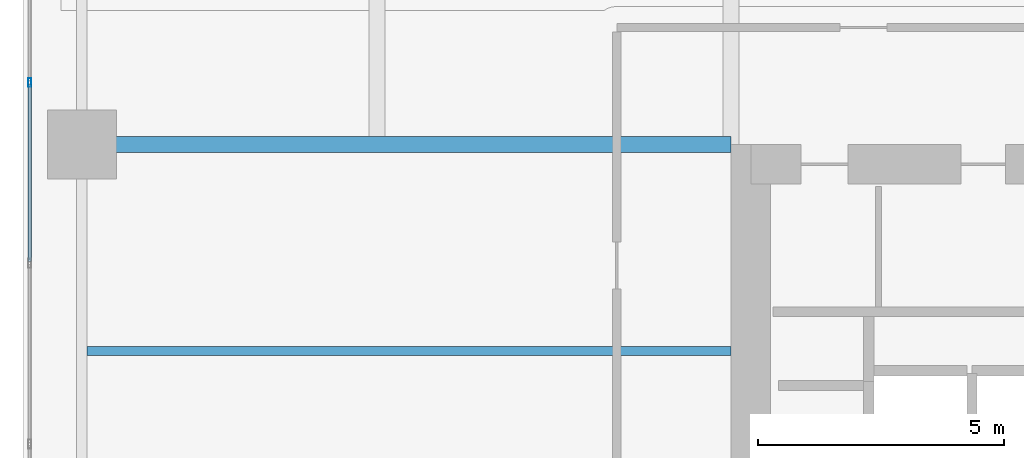
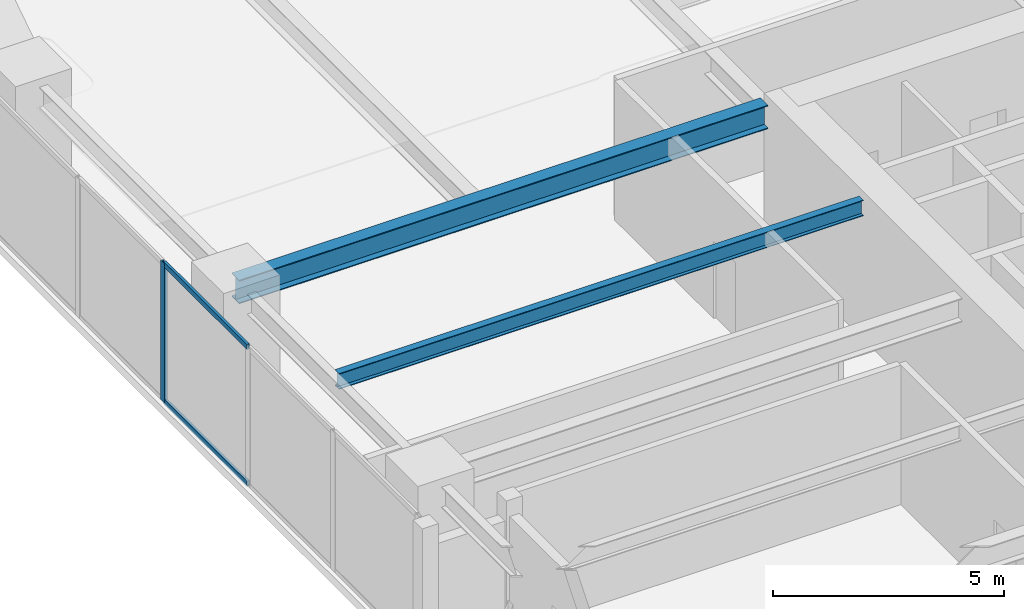
# One storey, part 6 of 30: 3 members, 2 beams, 1 element without a shape of its own.
"""IFC4 building model written with IfcOpenShell, lengths in metres."""

from ifc_helpers import new_model, si_unit, direction, frame, origin, origin_2d, place, context, subcontext, project, spatial, hollow_rectangle, i_section, extrude, material, layer, layer_set, material_profile, profile_set, type_object, element, aggregate, save


model = new_model("IFC4")

# Units and contexts
model_context = context("Model", 3, precision=1e-05, world=origin(), true_north=direction((0.0, 1.0)))
body_context = subcontext(model_context, "Body", "Model", "MODEL_VIEW")
ifc_project = project(units=[si_unit("LENGTHUNIT", "METRE"), si_unit("AREAUNIT", "SQUARE_METRE"), si_unit("VOLUMEUNIT", "CUBIC_METRE"), si_unit("PLANEANGLEUNIT", "RADIAN"), si_unit("MASSUNIT", "GRAM", prefix="KILO")], contexts=[model_context])

# Site, building, storey
site_placement = place(None, origin())
site = spatial("IfcSite", under=ifc_project, at=site_placement, CompositionType="ELEMENT")
building_placement = place(site_placement, origin())
building = spatial("IfcBuilding", under=site, at=building_placement, Name="Kiyonajd Concourse Tower", CompositionType="ELEMENT")
storey_placement = place(building_placement, frame((0.0, 0.0, 150.60009765625)))
storey = spatial("IfcBuildingStorey", under=building, at=storey_placement, Name="L38", CompositionType="ELEMENT", Elevation=150.60009765625)

# Beams
ifc_material_1 = material(Name="Steel ASTM A992 Grade 50", Category="steel")
ifc_material_profile_1 = material_profile(ifc_material_1, i_section(OverallWidth=0.180908203125, OverallDepth=0.4169921875, WebThickness=0.010986328125, FlangeThickness=0.018310546875, at=origin_2d()), Name="W410X85")
ifc_profile_set_1 = profile_set([ifc_material_profile_1], Name="Steel ASTM A992 Grade 50")
beam_type_1 = type_object("IfcBeamType", Name="BM-JST-410", PredefinedType="JOIST", material=ifc_profile_set_1)
beam_1_placement = place(storey_placement, frame((19.306884765625, 40.199951171875, 3.471435546875), z_axis=(1.0, 0.0, 0.0), x_axis=(0.0, 1.0, 0.0)))
element("IfcBeam", 1, at=beam_1_placement, inside=storey, type_object=beam_type_1, Name="L38 West Secondary Floor Joist", PredefinedType="JOIST", context=body_context, shape_type="SweptSolid", body=[
    extrude(i_section(OverallWidth=0.180908203125, OverallDepth=0.4169921875, WebThickness=0.010986328125, FlangeThickness=0.018310546875, at=origin_2d()), origin(), (0.0, 0.0, 1.0), 13.093017578125),
])
ifc_material_profile_2 = material_profile(ifc_material_1, i_section(OverallWidth=0.326904296875, OverallDepth=0.6220703125, WebThickness=0.015380859375, FlangeThickness=0.0244140625, at=origin_2d()), Name="W610X195")
ifc_profile_set_2 = profile_set([ifc_material_profile_2], Name="Steel ASTM A992 Grade 50")
beam_type_2 = type_object("IfcBeamType", Name="BM-TWR-610A", PredefinedType="BEAM", material=ifc_profile_set_2)
beam_2_placement = place(storey_placement, frame((19.199951171875, 44.39990234375, 3.368896484375), z_axis=(1.0, 0.0, 0.0), x_axis=(0.0, 1.0, 0.0)))
element("IfcBeam", 2, at=beam_2_placement, inside=storey, type_object=beam_type_2, Name="L38 West Lease Girder", PredefinedType="BEAM", context=body_context, shape_type="SweptSolid", body=[
    extrude(i_section(OverallWidth=0.326904296875, OverallDepth=0.6220703125, WebThickness=0.015380859375, FlangeThickness=0.0244140625, at=origin_2d()), origin(), (0.0, 0.0, 1.0), 13.199951171875),
])

# Curtain wall, members
ifc_material_2 = material(Name="Thermally Broken Anodised Aluminium", Category="aluminium")
ifc_layer = layer(ifc_material_2, 0.179931640625)
ifc_layer_set = layer_set([ifc_layer], Name="Thermally Broken Anodised Aluminium")
curtain_wall_type = type_object("IfcCurtainWallType", Name="CW-SYS-03", PredefinedType="NOTDEFINED", material=ifc_layer_set)
curtain_wall_placement = place(storey_placement, origin())
curtain_wall = element("IfcCurtainWall", 3, at=curtain_wall_placement, inside=storey, type_object=curtain_wall_type, Name="L38 Unitised Curtain Wall CW3", PredefinedType="NOTDEFINED")
ifc_material_profile_3 = material_profile(ifc_material_2, hollow_rectangle(XDim=0.06494140625, YDim=0.179931640625, WallThickness=0.00390625, at=origin_2d()), Name="MULL-65x180")
ifc_profile_set_3 = profile_set([ifc_material_profile_3], Name="Thermally Broken Anodised Aluminium")
member_type_1 = type_object("IfcMemberType", Name="MB-CW-MULL1", PredefinedType="MULLION", material=ifc_profile_set_3)
member_1_placement = place(storey_placement, frame((18.139892578125, 45.660888671875, 0.0), z_axis=(0.0, 0.0, 1.0), x_axis=(-1.0, 0.0, 0.0)))
member_1 = element("IfcMember", 4, at=member_1_placement, type_object=member_type_1, Name="CW3 mullion 4", PredefinedType="MULLION", context=body_context, shape_type="SweptSolid", body=[
    extrude(hollow_rectangle(XDim=0.06494140625, YDim=0.179931640625, WallThickness=0.00390625, at=origin_2d()), origin(), (0.0, 0.0, 1.0), 3.679931640625),
])
ifc_material_profile_4 = material_profile(ifc_material_2, hollow_rectangle(XDim=0.06494140625, YDim=0.139892578125, WallThickness=0.00390625, at=origin_2d()), Name="TRAN-65x140")
ifc_profile_set_4 = profile_set([ifc_material_profile_4], Name="Thermally Broken Anodised Aluminium")
member_type_2 = type_object("IfcMemberType", Name="MB-CW-TRAN1", PredefinedType="USERDEFINED", material=ifc_profile_set_4)
member_2_placement = place(storey_placement, frame((18.139892578125, 42.016357421875, 0.032470703125), z_axis=(0.0, 1.0, 0.0), x_axis=(-1.0, 0.0, 0.0)))
member_2 = element("IfcMember", 5, at=member_2_placement, type_object=member_type_2, Name="CW3 transom 3.1", ObjectType="TRANSOM", PredefinedType="USERDEFINED", context=body_context, shape_type="SweptSolid", body=[
    extrude(hollow_rectangle(XDim=0.06494140625, YDim=0.139892578125, WallThickness=0.00390625, at=origin_2d()), origin(), (0.0, 0.0, 1.0), 3.612060546875),
])
member_3_placement = place(storey_placement, frame((18.139892578125, 42.016357421875, 3.6474609375), z_axis=(0.0, 1.0, 0.0), x_axis=(-1.0, 0.0, 0.0)))
member_3 = element("IfcMember", 6, at=member_3_placement, type_object=member_type_2, Name="CW3 transom 3.2", ObjectType="TRANSOM", PredefinedType="USERDEFINED", context=body_context, shape_type="SweptSolid", body=[
    extrude(hollow_rectangle(XDim=0.06494140625, YDim=0.139892578125, WallThickness=0.00390625, at=origin_2d()), origin(), (0.0, 0.0, 1.0), 3.612060546875),
])
aggregate(curtain_wall, [member_1, member_2, member_3])

save(model, "model.ifc")
